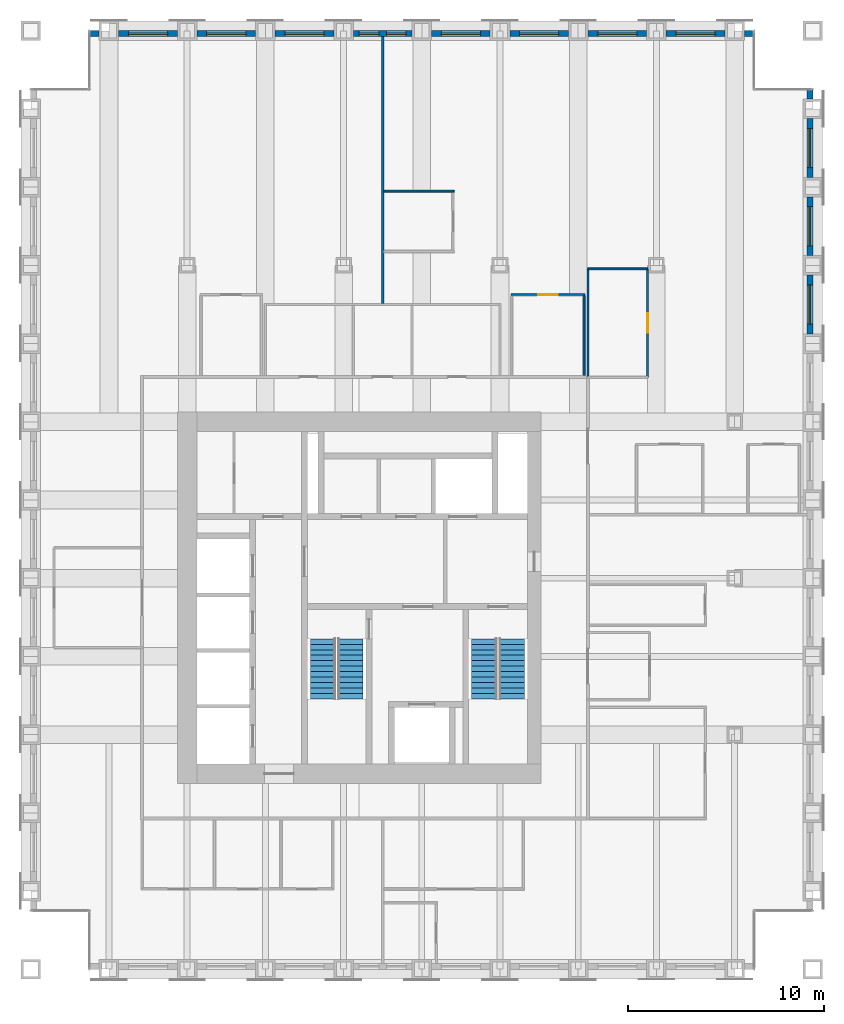
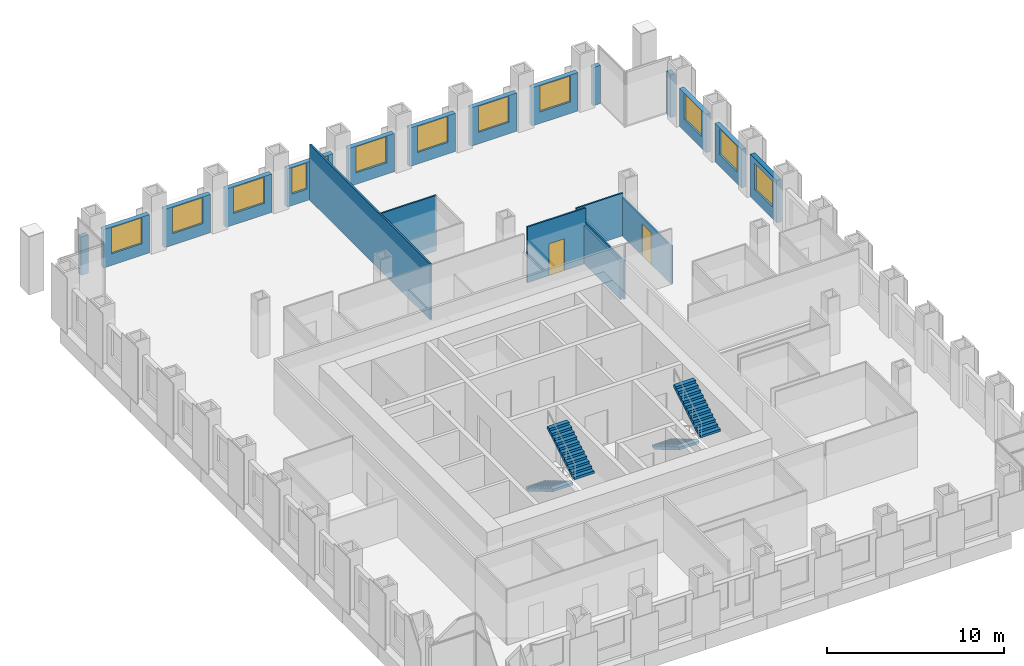
# One storey, part 12 of 14: 21 walls, 12 windows, 4 stair flights, 2 doors, 14 openings, 2 elements without a shape of their own.
"""IFC4 building model written with IfcOpenShell, lengths in metres."""

from ifc_helpers import new_model, si_unit, direction, frame, frame_2d, origin, place, context, subcontext, project, spatial, polyline, rectangle, outline, extrude, material, layer, layer_set, type_object, element, fill, aggregate, save


model = new_model("IFC4")

# Units and contexts
model_context = context("Model", 3, precision=1e-05, world=origin(), true_north=direction((0.0, 1.0)))
body_context = subcontext(model_context, "Body", "Model", "MODEL_VIEW")
ifc_project = project(units=[si_unit("LENGTHUNIT", "METRE"), si_unit("AREAUNIT", "SQUARE_METRE"), si_unit("VOLUMEUNIT", "CUBIC_METRE"), si_unit("PLANEANGLEUNIT", "RADIAN"), si_unit("MASSUNIT", "GRAM", prefix="KILO")], contexts=[model_context])

# Site, building, storey
site_placement = place(None, origin())
site = spatial("IfcSite", under=ifc_project, at=site_placement, CompositionType="ELEMENT")
building_placement = place(site_placement, origin())
building = spatial("IfcBuilding", under=site, at=building_placement, Name="Rimbunsela Tower", CompositionType="ELEMENT")
storey_placement = place(building_placement, frame((0.0, 0.0, 234.199951171875)))
storey = spatial("IfcBuildingStorey", under=building, at=storey_placement, Name="L56", CompositionType="ELEMENT", Elevation=234.199951171875)

# Wall, opening, door
ifc_material_1 = material(Name="Gypsum board on steel studs", Category="steel")
ifc_layer_1 = layer(ifc_material_1, 0.10009765625)
ifc_layer_set_1 = layer_set([ifc_layer_1], Name="Office partition 100")
wall_type_1 = type_object("IfcWallType", Name="Office partition 100", PredefinedType="PARTITIONING", material=ifc_layer_set_1)
wall_1_placement = place(storey_placement, frame((34.550048828125, 42.5, 0.0), z_axis=(0.0, 0.0, 1.0), x_axis=(1.0, 0.0, 0.0)))
wall_1 = element("IfcWall", 1, at=wall_1_placement, inside=storey, type_object=wall_type_1, Name="Office partition", PredefinedType="PARTITIONING", context=body_context, shape_type="SweptSolid", body=[
    extrude(rectangle(XDim=3.800048828125, YDim=0.10009765625, at=frame_2d((1.89990234375, 0.0))), origin(), (0.0, 0.0, 1.0), 3.85009765625),
])
opening_1_placement = place(wall_1_placement, frame((1.39990234375, 0.0, 0.0)))
opening_1 = element("IfcOpeningElement", 2, at=opening_1_placement, cuts=wall_1, Name="Opening D17", PredefinedType="OPENING", context=body_context, shape_type="SweptSolid", body=[
    extrude(rectangle(XDim=1.0, YDim=2.199951171875, at=frame_2d((0.5, 1.10009765625))), frame((0.0, 0.06005859375, 0.0), z_axis=(0.0, -1.0, 0.0), x_axis=(1.0, 0.0, 0.0)), (0.0, 0.0, 1.0), 0.1201171875),
])
ifc_material_2 = material(Name="Glazed aluminium door", Category="aluminium")
door_type = type_object("IfcDoorType", Name="Meeting room door 1000 glazed", OperationType="SINGLE_SWING_RIGHT", PredefinedType="DOOR", material=ifc_material_2)
door_1_placement = place(opening_1_placement, origin())
door_1 = element("IfcDoor", 3, at=door_1_placement, inside=storey, type_object=door_type, Name="Meeting room door", OperationType="SINGLE_SWING_RIGHT", OverallHeight=2.199951171875, OverallWidth=1.0, PredefinedType="DOOR", context=body_context, shape_type="SweptSolid", body=[
    extrude(rectangle(XDim=1.0, YDim=2.199951171875, at=frame_2d((0.5, 1.10009765625))), frame((0.0, 0.02490234375, 0.0), z_axis=(0.0, -1.0, 0.0), x_axis=(1.0, 0.0, 0.0)), (0.0, 0.0, 1.0), 0.050048828125),
])
fill(opening_1, door_1)

# Walls
wall_2_placement = place(storey_placement, frame((28.06005859375, 47.800048828125, 0.0), z_axis=(0.0, 0.0, 1.0), x_axis=(1.0, 0.0, 0.0)))
element("IfcWall", 4, at=wall_2_placement, inside=storey, type_object=wall_type_1, Name="Office partition", PredefinedType="PARTITIONING", context=body_context, shape_type="SweptSolid", body=[
    extrude(rectangle(XDim=3.58984375, YDim=0.10009765625, at=frame_2d((1.794921875, 0.0))), origin(), (0.0, 0.0, 1.0), 3.85009765625),
])
wall_3_placement = place(storey_placement, frame((38.300048828125, 38.375, 0.0), z_axis=(0.0, 0.0, 1.0), x_axis=(0.0, 1.0, 0.0)))
element("IfcWall", 5, at=wall_3_placement, inside=storey, type_object=wall_type_1, Name="Office partition", PredefinedType="PARTITIONING", context=body_context, shape_type="SweptSolid", body=[
    extrude(rectangle(XDim=4.074951171875, YDim=0.10009765625, at=frame_2d((2.03759765625, 0.0))), origin(), (0.0, 0.0, 1.0), 2.650146484375),
])

# Wall, opening, door
wall_4_placement = place(storey_placement, frame((41.550048828125, 38.27587890625, 0.0), z_axis=(0.0, 0.0, 1.0), x_axis=(0.0, 1.0, 0.0)))
wall_4 = element("IfcWall", 6, at=wall_4_placement, inside=storey, type_object=wall_type_1, Name="Office partition", PredefinedType="PARTITIONING", context=body_context, shape_type="SweptSolid", body=[
    extrude(rectangle(XDim=5.550048828125, YDim=0.10009765625, at=frame_2d((2.77490234375, 0.0))), origin(), (0.0, 0.0, 1.0), 2.650146484375),
])
opening_2_placement = place(wall_4_placement, frame((2.27490234375, 0.0, 0.0)))
opening_2 = element("IfcOpeningElement", 7, at=opening_2_placement, cuts=wall_4, Name="Opening D17", PredefinedType="OPENING", context=body_context, shape_type="SweptSolid", body=[
    extrude(rectangle(XDim=1.0, YDim=2.199951171875, at=frame_2d((0.5, 1.10009765625))), frame((0.0, 0.06005859375, 0.0), z_axis=(0.0, -1.0, 0.0), x_axis=(1.0, 0.0, 0.0)), (0.0, 0.0, 1.0), 0.1201171875),
])
door_2_placement = place(opening_2_placement, origin())
door_2 = element("IfcDoor", 8, at=door_2_placement, inside=storey, type_object=door_type, Name="Reception door", OperationType="SINGLE_SWING_RIGHT", OverallHeight=2.199951171875, OverallWidth=1.0, PredefinedType="DOOR", context=body_context, shape_type="SweptSolid", body=[
    extrude(rectangle(XDim=1.0, YDim=2.199951171875, at=frame_2d((0.5, 1.10009765625))), frame((0.0, 0.02490234375, 0.0), z_axis=(0.0, -1.0, 0.0), x_axis=(1.0, 0.0, 0.0)), (0.0, 0.0, 1.0), 0.050048828125),
])
fill(opening_2, door_2)

# Walls
wall_5_placement = place(storey_placement, frame((41.550048828125, 43.825927734375, 0.0), z_axis=(0.0, 0.0, 1.0), x_axis=(-1.0, 0.0, 0.0)))
element("IfcWall", 9, at=wall_5_placement, inside=storey, type_object=wall_type_1, Name="Office partition", PredefinedType="PARTITIONING", context=body_context, shape_type="SweptSolid", body=[
    extrude(rectangle(XDim=3.050048828125, YDim=0.10009765625, at=frame_2d((1.52490234375, 0.0))), origin(), (0.0, 0.0, 1.0), 2.949951171875),
])
wall_6_placement = place(storey_placement, frame((38.5, 43.825927734375, 0.0), z_axis=(0.0, 0.0, 1.0), x_axis=(0.0, -1.0, 0.0)))
element("IfcWall", 10, at=wall_6_placement, inside=storey, type_object=wall_type_1, Name="Office partition", PredefinedType="PARTITIONING", context=body_context, shape_type="SweptSolid", body=[
    extrude(rectangle(XDim=5.52587890625, YDim=0.10009765625, at=frame_2d((2.762939453125, 0.0))), origin(), (0.0, 0.0, 1.0), 2.650146484375),
])

# Wall, opening, window
ifc_material_3 = material(Name="Precast concrete fc' 35 MPa", Category="concrete")
ifc_layer_2 = layer(ifc_material_3, 0.300048828125)
ifc_layer_set_2 = layer_set([ifc_layer_2], Name="Precast concrete fc' 35 MPa")
wall_type_2 = type_object("IfcWallType", Name="Precast facade panel 300", PredefinedType="ELEMENTEDWALL", material=ifc_layer_set_2)
wall_7_placement = place(storey_placement, frame((49.85009765625, 40.5, 0.0), z_axis=(0.0, 0.0, 1.0), x_axis=(0.0, 1.0, 0.0)))
wall_7 = element("IfcWall", 11, at=wall_7_placement, inside=storey, type_object=wall_type_2, Name="Facade panel E L56", PredefinedType="ELEMENTEDWALL", context=body_context, shape_type="SweptSolid", body=[
    extrude(rectangle(XDim=3.0, YDim=0.300048828125, at=frame_2d((1.5, 0.0))), origin(), (0.0, 0.0, 1.0), 2.949951171875),
])
opening_3_placement = place(wall_7_placement, frame((0.5, 0.0, 0.800048828125)))
opening_3 = element("IfcOpeningElement", 12, at=opening_3_placement, cuts=wall_7, Name="Opening W7", PredefinedType="OPENING", context=body_context, shape_type="SweptSolid", body=[
    extrude(rectangle(XDim=2.0, YDim=1.800048828125, at=frame_2d((1.0, 0.89990234375))), frame((0.0, 0.159912109375, 0.0), z_axis=(0.0, -1.0, 0.0), x_axis=(1.0, 0.0, 0.0)), (0.0, 0.0, 1.0), 0.320068359375),
])
ifc_material_4 = material(Name="Clear glass in aluminium frame", Category="aluminium")
window_type_1 = type_object("IfcWindowType", Name="Window W7 2000x1800", PartitioningType="DOUBLE_PANEL_VERTICAL", PredefinedType="WINDOW", material=ifc_material_4)
window_1_placement = place(opening_3_placement, origin())
window_1 = element("IfcWindow", 13, at=window_1_placement, inside=storey, type_object=window_type_1, Name="Window L56", OverallHeight=1.800048828125, OverallWidth=2.0, PartitioningType="SINGLE_PANEL", PredefinedType="WINDOW", context=body_context, shape_type="SweptSolid", body=[
    extrude(rectangle(XDim=2.0, YDim=1.800048828125, at=frame_2d((1.0, 0.89990234375))), frame((0.0, 0.030029296875, 0.0), z_axis=(0.0, -1.0, 0.0), x_axis=(1.0, 0.0, 0.0)), (0.0, 0.0, 1.0), 0.06005859375),
])
fill(opening_3, window_1)

wall_8_placement = place(storey_placement, frame((49.85009765625, 44.5, 0.0), z_axis=(0.0, 0.0, 1.0), x_axis=(0.0, 1.0, 0.0)))
wall_8 = element("IfcWall", 14, at=wall_8_placement, inside=storey, type_object=wall_type_2, Name="Facade panel E L56", PredefinedType="ELEMENTEDWALL", context=body_context, shape_type="SweptSolid", body=[
    extrude(rectangle(XDim=3.0, YDim=0.300048828125, at=frame_2d((1.5, 0.0))), origin(), (0.0, 0.0, 1.0), 2.650146484375),
])
opening_4_placement = place(wall_8_placement, frame((0.5, 0.0, 0.800048828125)))
opening_4 = element("IfcOpeningElement", 15, at=opening_4_placement, cuts=wall_8, Name="Opening W7", PredefinedType="OPENING", context=body_context, shape_type="SweptSolid", body=[
    extrude(rectangle(XDim=2.0, YDim=1.800048828125, at=frame_2d((1.0, 0.89990234375))), frame((0.0, 0.159912109375, 0.0), z_axis=(0.0, -1.0, 0.0), x_axis=(1.0, 0.0, 0.0)), (0.0, 0.0, 1.0), 0.320068359375),
])
window_2_placement = place(opening_4_placement, origin())
window_2 = element("IfcWindow", 16, at=window_2_placement, inside=storey, type_object=window_type_1, Name="Window L56", OverallHeight=1.800048828125, OverallWidth=2.0, PartitioningType="SINGLE_PANEL", PredefinedType="WINDOW", context=body_context, shape_type="SweptSolid", body=[
    extrude(rectangle(XDim=2.0, YDim=1.800048828125, at=frame_2d((1.0, 0.89990234375))), frame((0.0, 0.030029296875, 0.0), z_axis=(0.0, -1.0, 0.0), x_axis=(1.0, 0.0, 0.0)), (0.0, 0.0, 1.0), 0.06005859375),
])
fill(opening_4, window_2)

wall_9_placement = place(storey_placement, frame((49.85009765625, 48.5, 0.0), z_axis=(0.0, 0.0, 1.0), x_axis=(0.0, 1.0, 0.0)))
wall_9 = element("IfcWall", 17, at=wall_9_placement, inside=storey, type_object=wall_type_2, Name="Facade panel E L56", PredefinedType="ELEMENTEDWALL", context=body_context, shape_type="SweptSolid", body=[
    extrude(rectangle(XDim=3.0, YDim=0.300048828125, at=frame_2d((1.5, 0.0))), origin(), (0.0, 0.0, 1.0), 2.650146484375),
])
opening_5_placement = place(wall_9_placement, frame((0.5, 0.0, 0.800048828125)))
opening_5 = element("IfcOpeningElement", 18, at=opening_5_placement, cuts=wall_9, Name="Opening W7", PredefinedType="OPENING", context=body_context, shape_type="SweptSolid", body=[
    extrude(rectangle(XDim=2.0, YDim=1.800048828125, at=frame_2d((1.0, 0.89990234375))), frame((0.0, 0.159912109375, 0.0), z_axis=(0.0, -1.0, 0.0), x_axis=(1.0, 0.0, 0.0)), (0.0, 0.0, 1.0), 0.320068359375),
])
window_3_placement = place(opening_5_placement, origin())
window_3 = element("IfcWindow", 19, at=window_3_placement, inside=storey, type_object=window_type_1, Name="Window L56", OverallHeight=1.800048828125, OverallWidth=2.0, PartitioningType="SINGLE_PANEL", PredefinedType="WINDOW", context=body_context, shape_type="SweptSolid", body=[
    extrude(rectangle(XDim=2.0, YDim=1.800048828125, at=frame_2d((1.0, 0.89990234375))), frame((0.0, 0.030029296875, 0.0), z_axis=(0.0, -1.0, 0.0), x_axis=(1.0, 0.0, 0.0)), (0.0, 0.0, 1.0), 0.06005859375),
])
fill(opening_5, window_3)

# Walls
wall_10_placement = place(storey_placement, frame((49.85009765625, 52.5, 0.0), z_axis=(0.0, 0.0, 1.0), x_axis=(0.0, 1.0, 0.0)))
element("IfcWall", 20, at=wall_10_placement, inside=storey, type_object=wall_type_2, Name="Facade panel E L56", PredefinedType="ELEMENTEDWALL", context=body_context, shape_type="SweptSolid", body=[
    extrude(rectangle(XDim=0.469970703125, YDim=0.300048828125, at=frame_2d((0.23486328125, 0.0))), origin(), (0.0, 0.0, 1.0), 2.949951171875),
])
wall_11_placement = place(storey_placement, frame((13.5, 55.85009765625, 0.0), z_axis=(0.0, 0.0, 1.0), x_axis=(-1.0, 0.0, 0.0)))
element("IfcWall", 21, at=wall_11_placement, inside=storey, type_object=wall_type_2, Name="Facade panel N L56", PredefinedType="ELEMENTEDWALL", context=body_context, shape_type="SweptSolid", body=[
    extrude(rectangle(XDim=0.469970703125, YDim=0.300048828125, at=frame_2d((0.23486328125, 0.0))), origin(), (0.0, 0.0, 1.0), 2.650146484375),
])

# Wall, opening, window
wall_12_placement = place(storey_placement, frame((17.5, 55.85009765625, 0.0), z_axis=(0.0, 0.0, 1.0), x_axis=(-1.0, 0.0, 0.0)))
wall_12 = element("IfcWall", 22, at=wall_12_placement, inside=storey, type_object=wall_type_2, Name="Facade panel N L56", PredefinedType="ELEMENTEDWALL", context=body_context, shape_type="SweptSolid", body=[
    extrude(rectangle(XDim=3.0, YDim=0.300048828125, at=frame_2d((1.5, 0.0))), origin(), (0.0, 0.0, 1.0), 2.650146484375),
])
opening_6_placement = place(wall_12_placement, frame((0.5, 0.0, 0.800048828125)))
opening_6 = element("IfcOpeningElement", 23, at=opening_6_placement, cuts=wall_12, Name="Opening W7", PredefinedType="OPENING", context=body_context, shape_type="SweptSolid", body=[
    extrude(rectangle(XDim=2.0, YDim=1.800048828125, at=frame_2d((1.0, 0.89990234375))), frame((0.0, 0.159912109375, 0.0), z_axis=(0.0, -1.0, 0.0), x_axis=(1.0, 0.0, 0.0)), (0.0, 0.0, 1.0), 0.320068359375),
])
window_4_placement = place(opening_6_placement, origin())
window_4 = element("IfcWindow", 24, at=window_4_placement, inside=storey, type_object=window_type_1, Name="Window L56", OverallHeight=1.800048828125, OverallWidth=2.0, PartitioningType="SINGLE_PANEL", PredefinedType="WINDOW", context=body_context, shape_type="SweptSolid", body=[
    extrude(rectangle(XDim=2.0, YDim=1.800048828125, at=frame_2d((1.0, 0.89990234375))), frame((0.0, 0.030029296875, 0.0), z_axis=(0.0, -1.0, 0.0), x_axis=(1.0, 0.0, 0.0)), (0.0, 0.0, 1.0), 0.06005859375),
])
fill(opening_6, window_4)

wall_13_placement = place(storey_placement, frame((21.5, 55.85009765625, 0.0), z_axis=(0.0, 0.0, 1.0), x_axis=(-1.0, 0.0, 0.0)))
wall_13 = element("IfcWall", 25, at=wall_13_placement, inside=storey, type_object=wall_type_2, Name="Facade panel N L56", PredefinedType="ELEMENTEDWALL", context=body_context, shape_type="SweptSolid", body=[
    extrude(rectangle(XDim=3.0, YDim=0.300048828125, at=frame_2d((1.5, 0.0))), origin(), (0.0, 0.0, 1.0), 2.650146484375),
])
opening_7_placement = place(wall_13_placement, frame((0.5, 0.0, 0.800048828125)))
opening_7 = element("IfcOpeningElement", 26, at=opening_7_placement, cuts=wall_13, Name="Opening W7", PredefinedType="OPENING", context=body_context, shape_type="SweptSolid", body=[
    extrude(rectangle(XDim=2.0, YDim=1.800048828125, at=frame_2d((1.0, 0.89990234375))), frame((0.0, 0.159912109375, 0.0), z_axis=(0.0, -1.0, 0.0), x_axis=(1.0, 0.0, 0.0)), (0.0, 0.0, 1.0), 0.320068359375),
])
window_5_placement = place(opening_7_placement, origin())
window_5 = element("IfcWindow", 27, at=window_5_placement, inside=storey, type_object=window_type_1, Name="Window L56", OverallHeight=1.800048828125, OverallWidth=2.0, PartitioningType="SINGLE_PANEL", PredefinedType="WINDOW", context=body_context, shape_type="SweptSolid", body=[
    extrude(rectangle(XDim=2.0, YDim=1.800048828125, at=frame_2d((1.0, 0.89990234375))), frame((0.0, 0.030029296875, 0.0), z_axis=(0.0, -1.0, 0.0), x_axis=(1.0, 0.0, 0.0)), (0.0, 0.0, 1.0), 0.06005859375),
])
fill(opening_7, window_5)

wall_14_placement = place(storey_placement, frame((25.5, 55.85009765625, 0.0), z_axis=(0.0, 0.0, 1.0), x_axis=(-1.0, 0.0, 0.0)))
wall_14 = element("IfcWall", 28, at=wall_14_placement, inside=storey, type_object=wall_type_2, Name="Facade panel N L56", PredefinedType="ELEMENTEDWALL", context=body_context, shape_type="SweptSolid", body=[
    extrude(rectangle(XDim=3.0, YDim=0.300048828125, at=frame_2d((1.5, 0.0))), origin(), (0.0, 0.0, 1.0), 2.650146484375),
])
opening_8_placement = place(wall_14_placement, frame((0.5, 0.0, 0.800048828125)))
opening_8 = element("IfcOpeningElement", 29, at=opening_8_placement, cuts=wall_14, Name="Opening W7", PredefinedType="OPENING", context=body_context, shape_type="SweptSolid", body=[
    extrude(rectangle(XDim=2.0, YDim=1.800048828125, at=frame_2d((1.0, 0.89990234375))), frame((0.0, 0.159912109375, 0.0), z_axis=(0.0, -1.0, 0.0), x_axis=(1.0, 0.0, 0.0)), (0.0, 0.0, 1.0), 0.320068359375),
])
window_6_placement = place(opening_8_placement, origin())
window_6 = element("IfcWindow", 30, at=window_6_placement, inside=storey, type_object=window_type_1, Name="Window L56", OverallHeight=1.800048828125, OverallWidth=2.0, PartitioningType="SINGLE_PANEL", PredefinedType="WINDOW", context=body_context, shape_type="SweptSolid", body=[
    extrude(rectangle(XDim=2.0, YDim=1.800048828125, at=frame_2d((1.0, 0.89990234375))), frame((0.0, 0.030029296875, 0.0), z_axis=(0.0, -1.0, 0.0), x_axis=(1.0, 0.0, 0.0)), (0.0, 0.0, 1.0), 0.06005859375),
])
fill(opening_8, window_6)

# Wall, openings, windows
wall_15_placement = place(storey_placement, frame((29.5, 55.85009765625, 0.0), z_axis=(0.0, 0.0, 1.0), x_axis=(-1.0, 0.0, 0.0)))
wall_15 = element("IfcWall", 31, at=wall_15_placement, inside=storey, type_object=wall_type_2, Name="Facade panel N L56", PredefinedType="ELEMENTEDWALL", context=body_context, shape_type="SweptSolid", body=[
    extrude(rectangle(XDim=3.0, YDim=0.300048828125, at=frame_2d((1.5, 0.0))), origin(), (0.0, 0.0, 1.0), 2.650146484375),
])
opening_9_placement = place(wall_15_placement, frame((1.699951171875, 0.0, 0.800048828125)))
opening_9 = element("IfcOpeningElement", 32, at=opening_9_placement, cuts=wall_15, Name="Opening W8", PredefinedType="OPENING", context=body_context, shape_type="SweptSolid", body=[
    extrude(rectangle(XDim=1.0, YDim=1.800048828125, at=frame_2d((0.5, 0.89990234375))), frame((0.0, 0.159912109375, 0.0), z_axis=(0.0, -1.0, 0.0), x_axis=(1.0, 0.0, 0.0)), (0.0, 0.0, 1.0), 0.320068359375),
])
opening_10_placement = place(wall_15_placement, frame((0.300048828125, 0.0, 0.800048828125)))
opening_10 = element("IfcOpeningElement", 33, at=opening_10_placement, cuts=wall_15, Name="Opening W8", PredefinedType="OPENING", context=body_context, shape_type="SweptSolid", body=[
    extrude(rectangle(XDim=1.0, YDim=1.800048828125, at=frame_2d((0.5, 0.89990234375))), frame((0.0, 0.159912109375, 0.0), z_axis=(0.0, -1.0, 0.0), x_axis=(1.0, 0.0, 0.0)), (0.0, 0.0, 1.0), 0.320068359375),
])
ifc_material_5 = material(Name="Clear glass in aluminium frame", Category="aluminium")
window_type_2 = type_object("IfcWindowType", Name="Window W8 1000x1800", PartitioningType="SINGLE_PANEL", PredefinedType="WINDOW", material=ifc_material_5)
window_7_placement = place(opening_9_placement, origin())
window_7 = element("IfcWindow", 34, at=window_7_placement, inside=storey, type_object=window_type_2, Name="Window L56", OverallHeight=1.800048828125, OverallWidth=1.0, PartitioningType="SINGLE_PANEL", PredefinedType="WINDOW", context=body_context, shape_type="SweptSolid", body=[
    extrude(rectangle(XDim=1.0, YDim=1.800048828125, at=frame_2d((0.5, 0.89990234375))), frame((0.0, 0.030029296875, 0.0), z_axis=(0.0, -1.0, 0.0), x_axis=(1.0, 0.0, 0.0)), (0.0, 0.0, 1.0), 0.06005859375),
])
fill(opening_9, window_7)
window_8_placement = place(opening_10_placement, origin())
window_8 = element("IfcWindow", 35, at=window_8_placement, inside=storey, type_object=window_type_2, Name="Window L56", OverallHeight=1.800048828125, OverallWidth=1.0, PartitioningType="SINGLE_PANEL", PredefinedType="WINDOW", context=body_context, shape_type="SweptSolid", body=[
    extrude(rectangle(XDim=1.0, YDim=1.800048828125, at=frame_2d((0.5, 0.89990234375))), frame((0.0, 0.030029296875, 0.0), z_axis=(0.0, -1.0, 0.0), x_axis=(1.0, 0.0, 0.0)), (0.0, 0.0, 1.0), 0.06005859375),
])
fill(opening_10, window_8)

# Wall, opening, window
wall_16_placement = place(storey_placement, frame((33.5, 55.85009765625, 0.0), z_axis=(0.0, 0.0, 1.0), x_axis=(-1.0, 0.0, 0.0)))
wall_16 = element("IfcWall", 36, at=wall_16_placement, inside=storey, type_object=wall_type_2, Name="Facade panel N L56", PredefinedType="ELEMENTEDWALL", context=body_context, shape_type="SweptSolid", body=[
    extrude(rectangle(XDim=3.0, YDim=0.300048828125, at=frame_2d((1.5, 0.0))), origin(), (0.0, 0.0, 1.0), 2.650146484375),
])
opening_11_placement = place(wall_16_placement, frame((0.5, 0.0, 0.800048828125)))
opening_11 = element("IfcOpeningElement", 37, at=opening_11_placement, cuts=wall_16, Name="Opening W7", PredefinedType="OPENING", context=body_context, shape_type="SweptSolid", body=[
    extrude(rectangle(XDim=2.0, YDim=1.800048828125, at=frame_2d((1.0, 0.89990234375))), frame((0.0, 0.159912109375, 0.0), z_axis=(0.0, -1.0, 0.0), x_axis=(1.0, 0.0, 0.0)), (0.0, 0.0, 1.0), 0.320068359375),
])
window_9_placement = place(opening_11_placement, origin())
window_9 = element("IfcWindow", 38, at=window_9_placement, inside=storey, type_object=window_type_1, Name="Window L56", OverallHeight=1.800048828125, OverallWidth=2.0, PartitioningType="SINGLE_PANEL", PredefinedType="WINDOW", context=body_context, shape_type="SweptSolid", body=[
    extrude(rectangle(XDim=2.0, YDim=1.800048828125, at=frame_2d((1.0, 0.89990234375))), frame((0.0, 0.030029296875, 0.0), z_axis=(0.0, -1.0, 0.0), x_axis=(1.0, 0.0, 0.0)), (0.0, 0.0, 1.0), 0.06005859375),
])
fill(opening_11, window_9)

wall_17_placement = place(storey_placement, frame((37.5, 55.85009765625, 0.0), z_axis=(0.0, 0.0, 1.0), x_axis=(-1.0, 0.0, 0.0)))
wall_17 = element("IfcWall", 39, at=wall_17_placement, inside=storey, type_object=wall_type_2, Name="Facade panel N L56", PredefinedType="ELEMENTEDWALL", context=body_context, shape_type="SweptSolid", body=[
    extrude(rectangle(XDim=3.0, YDim=0.300048828125, at=frame_2d((1.5, 0.0))), origin(), (0.0, 0.0, 1.0), 2.650146484375),
])
opening_12_placement = place(wall_17_placement, frame((0.5, 0.0, 0.800048828125)))
opening_12 = element("IfcOpeningElement", 40, at=opening_12_placement, cuts=wall_17, Name="Opening W7", PredefinedType="OPENING", context=body_context, shape_type="SweptSolid", body=[
    extrude(rectangle(XDim=2.0, YDim=1.800048828125, at=frame_2d((1.0, 0.89990234375))), frame((0.0, 0.159912109375, 0.0), z_axis=(0.0, -1.0, 0.0), x_axis=(1.0, 0.0, 0.0)), (0.0, 0.0, 1.0), 0.320068359375),
])
window_10_placement = place(opening_12_placement, origin())
window_10 = element("IfcWindow", 41, at=window_10_placement, inside=storey, type_object=window_type_1, Name="Window L56", OverallHeight=1.800048828125, OverallWidth=2.0, PartitioningType="SINGLE_PANEL", PredefinedType="WINDOW", context=body_context, shape_type="SweptSolid", body=[
    extrude(rectangle(XDim=2.0, YDim=1.800048828125, at=frame_2d((1.0, 0.89990234375))), frame((0.0, 0.030029296875, 0.0), z_axis=(0.0, -1.0, 0.0), x_axis=(1.0, 0.0, 0.0)), (0.0, 0.0, 1.0), 0.06005859375),
])
fill(opening_12, window_10)

wall_18_placement = place(storey_placement, frame((41.5, 55.85009765625, 0.0), z_axis=(0.0, 0.0, 1.0), x_axis=(-1.0, 0.0, 0.0)))
wall_18 = element("IfcWall", 42, at=wall_18_placement, inside=storey, type_object=wall_type_2, Name="Facade panel N L56", PredefinedType="ELEMENTEDWALL", context=body_context, shape_type="SweptSolid", body=[
    extrude(rectangle(XDim=3.0, YDim=0.300048828125, at=frame_2d((1.5, 0.0))), origin(), (0.0, 0.0, 1.0), 2.650146484375),
])
opening_13_placement = place(wall_18_placement, frame((0.5, 0.0, 0.800048828125)))
opening_13 = element("IfcOpeningElement", 43, at=opening_13_placement, cuts=wall_18, Name="Opening W7", PredefinedType="OPENING", context=body_context, shape_type="SweptSolid", body=[
    extrude(rectangle(XDim=2.0, YDim=1.800048828125, at=frame_2d((1.0, 0.89990234375))), frame((0.0, 0.159912109375, 0.0), z_axis=(0.0, -1.0, 0.0), x_axis=(1.0, 0.0, 0.0)), (0.0, 0.0, 1.0), 0.320068359375),
])
window_11_placement = place(opening_13_placement, origin())
window_11 = element("IfcWindow", 44, at=window_11_placement, inside=storey, type_object=window_type_1, Name="Window L56", OverallHeight=1.800048828125, OverallWidth=2.0, PartitioningType="SINGLE_PANEL", PredefinedType="WINDOW", context=body_context, shape_type="SweptSolid", body=[
    extrude(rectangle(XDim=2.0, YDim=1.800048828125, at=frame_2d((1.0, 0.89990234375))), frame((0.0, 0.030029296875, 0.0), z_axis=(0.0, -1.0, 0.0), x_axis=(1.0, 0.0, 0.0)), (0.0, 0.0, 1.0), 0.06005859375),
])
fill(opening_13, window_11)

wall_19_placement = place(storey_placement, frame((45.5, 55.85009765625, 0.0), z_axis=(0.0, 0.0, 1.0), x_axis=(-1.0, 0.0, 0.0)))
wall_19 = element("IfcWall", 45, at=wall_19_placement, inside=storey, type_object=wall_type_2, Name="Facade panel N L56", PredefinedType="ELEMENTEDWALL", context=body_context, shape_type="SweptSolid", body=[
    extrude(rectangle(XDim=3.0, YDim=0.300048828125, at=frame_2d((1.5, 0.0))), origin(), (0.0, 0.0, 1.0), 2.650146484375),
])
opening_14_placement = place(wall_19_placement, frame((0.5, 0.0, 0.800048828125)))
opening_14 = element("IfcOpeningElement", 46, at=opening_14_placement, cuts=wall_19, Name="Opening W7", PredefinedType="OPENING", context=body_context, shape_type="SweptSolid", body=[
    extrude(rectangle(XDim=2.0, YDim=1.800048828125, at=frame_2d((1.0, 0.89990234375))), frame((0.0, 0.159912109375, 0.0), z_axis=(0.0, -1.0, 0.0), x_axis=(1.0, 0.0, 0.0)), (0.0, 0.0, 1.0), 0.320068359375),
])
window_12_placement = place(opening_14_placement, origin())
window_12 = element("IfcWindow", 47, at=window_12_placement, inside=storey, type_object=window_type_1, Name="Window L56", OverallHeight=1.800048828125, OverallWidth=2.0, PartitioningType="SINGLE_PANEL", PredefinedType="WINDOW", context=body_context, shape_type="SweptSolid", body=[
    extrude(rectangle(XDim=2.0, YDim=1.800048828125, at=frame_2d((1.0, 0.89990234375))), frame((0.0, 0.030029296875, 0.0), z_axis=(0.0, -1.0, 0.0), x_axis=(1.0, 0.0, 0.0)), (0.0, 0.0, 1.0), 0.06005859375),
])
fill(opening_14, window_12)

# Walls
wall_20_placement = place(storey_placement, frame((46.969970703125, 55.85009765625, 0.0), z_axis=(0.0, 0.0, 1.0), x_axis=(-1.0, 0.0, 0.0)))
element("IfcWall", 48, at=wall_20_placement, inside=storey, type_object=wall_type_2, Name="Facade panel N L56", PredefinedType="ELEMENTEDWALL", context=body_context, shape_type="SweptSolid", body=[
    extrude(rectangle(XDim=0.469970703125, YDim=0.300048828125, at=frame_2d((0.23486328125, 0.0))), origin(), (0.0, 0.0, 1.0), 2.650146484375),
])
ifc_material_6 = material(Name="Gypsum board on steel studs", Category="steel")
ifc_layer_3 = layer(ifc_material_6, 0.1201171875)
ifc_layer_set_3 = layer_set([ifc_layer_3], Name="Tenancy partition 120")
wall_type_3 = type_object("IfcWallType", Name="Tenancy partition 120", PredefinedType="PARTITIONING", material=ifc_layer_set_3)
wall_21_placement = place(storey_placement, frame((28.0, 42.050048828125, 0.0), z_axis=(0.0, 0.0, 1.0), x_axis=(0.0, 1.0, 0.0)))
element("IfcWall", 49, at=wall_21_placement, inside=storey, type_object=wall_type_3, Name="Tenancy partition north", PredefinedType="PARTITIONING", context=body_context, shape_type="SweptSolid", body=[
    extrude(rectangle(XDim=13.64990234375, YDim=0.1201171875, at=frame_2d((6.824951171875, 0.0))), origin(), (0.0, 0.0, 1.0), 3.85009765625),
])

# Stair, stair flights
ifc_material_7 = material(Name="Concrete fc' 35 MPa", Category="concrete")
stair_type = type_object("IfcStairType", Name="Exit stair 24 risers", PredefinedType="HALF_TURN_STAIR", material=ifc_material_7)
stair_1_placement = place(storey_placement, origin())
stair_1 = element("IfcStair", 50, at=stair_1_placement, inside=storey, type_object=stair_type, Name="Exit stair A L56", PredefinedType="HALF_TURN_STAIR")
ifc_material_8 = material(Name="Concrete fc' 35 MPa", Category="concrete")
stair_flight_type = type_object("IfcStairFlightType", Name="Stair flight 12 risers 167", PredefinedType="STRAIGHT", material=ifc_material_8)
stair_flight_1_placement = place(storey_placement, frame((24.949951171875, 24.89990234375, 0.0), z_axis=(0.0, 0.0, 1.0), x_axis=(0.0, -1.0, 0.0)))
stair_flight_1 = element("IfcStairFlight", 51, at=stair_flight_1_placement, type_object=stair_flight_type, Name="ST-A flight 1", NumberOfRisers=12, NumberOfTreads=11, PredefinedType="STRAIGHT", RiserHeight=0.166666667, TreadLength=0.28, context=body_context, shape_type="SweptSolid", body=[
    extrude(outline(polyline([(0.0, 0.0), (0.0, 0.166748046875), (0.280029296875, 0.166748046875), (0.280029296875, 0.333251953125), (0.56005859375, 0.333251953125), (0.56005859375, 0.5), (0.840087890625, 0.5), (0.840087890625, 0.666748046875), (1.1201171875, 0.666748046875), (1.1201171875, 0.833251953125), (1.39990234375, 0.833251953125), (1.39990234375, 1.0), (1.679931640625, 1.0), (1.679931640625, 1.166748046875), (1.9599609375, 1.166748046875), (1.9599609375, 1.333251953125), (2.239990234375, 1.333251953125), (2.239990234375, 1.5), (2.52001953125, 1.5), (2.52001953125, 1.666748046875), (2.800048828125, 1.666748046875), (2.800048828125, 1.833251953125), (3.080078125, 1.833251953125), (3.080078125, 2.0), (3.080078125, 1.658935546875), (0.29296875, 0.0), (0.0, 0.0)])), frame((0.0, 0.64990234375, 0.0), z_axis=(0.0, -1.0, 0.0), x_axis=(1.0, 0.0, 0.0)), (0.0, 0.0, 1.0), 1.300048828125),
])
stair_flight_2_placement = place(storey_placement, frame((26.35009765625, 21.820068359375, 2.0), z_axis=(0.0, 0.0, 1.0), x_axis=(0.0, 1.0, 0.0)))
stair_flight_2 = element("IfcStairFlight", 52, at=stair_flight_2_placement, type_object=stair_flight_type, Name="ST-A flight 2", NumberOfRisers=12, NumberOfTreads=11, PredefinedType="STRAIGHT", RiserHeight=0.166666667, TreadLength=0.28, context=body_context, shape_type="SweptSolid", body=[
    extrude(outline(polyline([(0.0, 0.0), (0.0, 0.166748046875), (0.280029296875, 0.166748046875), (0.280029296875, 0.333251953125), (0.56005859375, 0.333251953125), (0.56005859375, 0.5), (0.840087890625, 0.5), (0.840087890625, 0.666748046875), (1.1201171875, 0.666748046875), (1.1201171875, 0.833251953125), (1.39990234375, 0.833251953125), (1.39990234375, 1.0), (1.679931640625, 1.0), (1.679931640625, 1.166748046875), (1.9599609375, 1.166748046875), (1.9599609375, 1.333251953125), (2.239990234375, 1.333251953125), (2.239990234375, 1.5), (2.52001953125, 1.5), (2.52001953125, 1.666748046875), (2.800048828125, 1.666748046875), (2.800048828125, 1.833251953125), (3.080078125, 1.833251953125), (3.080078125, 2.0), (3.080078125, 1.658935546875), (0.29296875, 0.0), (0.0, 0.0)])), frame((0.0, 0.64990234375, 0.0), z_axis=(0.0, -1.0, 0.0), x_axis=(1.0, 0.0, 0.0)), (0.0, 0.0, 1.0), 1.300048828125),
])
aggregate(stair_1, [stair_flight_1, stair_flight_2])

stair_2_placement = place(storey_placement, origin())
stair_2 = element("IfcStair", 53, at=stair_2_placement, inside=storey, type_object=stair_type, Name="Exit stair B L56", PredefinedType="HALF_TURN_STAIR")
stair_flight_3_placement = place(storey_placement, frame((33.199951171875, 24.89990234375, 0.0), z_axis=(0.0, 0.0, 1.0), x_axis=(0.0, -1.0, 0.0)))
stair_flight_3 = element("IfcStairFlight", 54, at=stair_flight_3_placement, type_object=stair_flight_type, Name="ST-B flight 1", NumberOfRisers=12, NumberOfTreads=11, PredefinedType="STRAIGHT", RiserHeight=0.166666667, TreadLength=0.28, context=body_context, shape_type="SweptSolid", body=[
    extrude(outline(polyline([(0.0, 0.0), (0.0, 0.166748046875), (0.280029296875, 0.166748046875), (0.280029296875, 0.333251953125), (0.56005859375, 0.333251953125), (0.56005859375, 0.5), (0.840087890625, 0.5), (0.840087890625, 0.666748046875), (1.1201171875, 0.666748046875), (1.1201171875, 0.833251953125), (1.39990234375, 0.833251953125), (1.39990234375, 1.0), (1.679931640625, 1.0), (1.679931640625, 1.166748046875), (1.9599609375, 1.166748046875), (1.9599609375, 1.333251953125), (2.239990234375, 1.333251953125), (2.239990234375, 1.5), (2.52001953125, 1.5), (2.52001953125, 1.666748046875), (2.800048828125, 1.666748046875), (2.800048828125, 1.833251953125), (3.080078125, 1.833251953125), (3.080078125, 2.0), (3.080078125, 1.658935546875), (0.29296875, 0.0), (0.0, 0.0)])), frame((0.0, 0.64990234375, 0.0), z_axis=(0.0, -1.0, 0.0), x_axis=(1.0, 0.0, 0.0)), (0.0, 0.0, 1.0), 1.300048828125),
])
stair_flight_4_placement = place(storey_placement, frame((34.60009765625, 21.820068359375, 2.0), z_axis=(0.0, 0.0, 1.0), x_axis=(0.0, 1.0, 0.0)))
stair_flight_4 = element("IfcStairFlight", 55, at=stair_flight_4_placement, type_object=stair_flight_type, Name="ST-B flight 2", NumberOfRisers=12, NumberOfTreads=11, PredefinedType="STRAIGHT", RiserHeight=0.166666667, TreadLength=0.28, context=body_context, shape_type="SweptSolid", body=[
    extrude(outline(polyline([(0.0, 0.0), (0.0, 0.166748046875), (0.280029296875, 0.166748046875), (0.280029296875, 0.333251953125), (0.56005859375, 0.333251953125), (0.56005859375, 0.5), (0.840087890625, 0.5), (0.840087890625, 0.666748046875), (1.1201171875, 0.666748046875), (1.1201171875, 0.833251953125), (1.39990234375, 0.833251953125), (1.39990234375, 1.0), (1.679931640625, 1.0), (1.679931640625, 1.166748046875), (1.9599609375, 1.166748046875), (1.9599609375, 1.333251953125), (2.239990234375, 1.333251953125), (2.239990234375, 1.5), (2.52001953125, 1.5), (2.52001953125, 1.666748046875), (2.800048828125, 1.666748046875), (2.800048828125, 1.833251953125), (3.080078125, 1.833251953125), (3.080078125, 2.0), (3.080078125, 1.658935546875), (0.29296875, 0.0), (0.0, 0.0)])), frame((0.0, 0.64990234375, 0.0), z_axis=(0.0, -1.0, 0.0), x_axis=(1.0, 0.0, 0.0)), (0.0, 0.0, 1.0), 1.300048828125),
])
aggregate(stair_2, [stair_flight_3, stair_flight_4])

save(model, "model.ifc")
